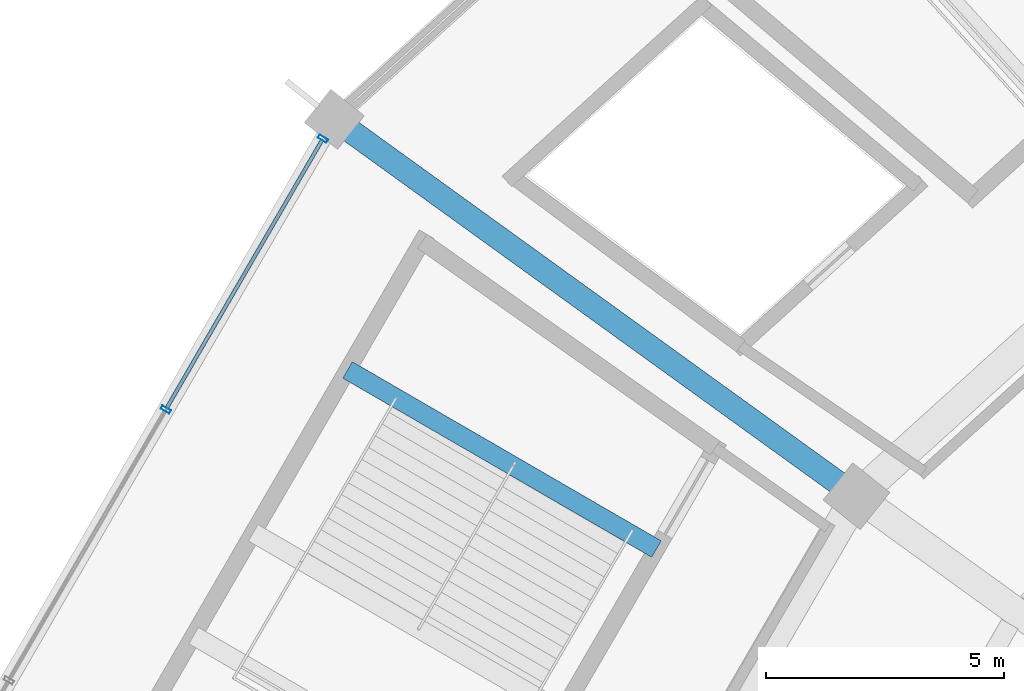
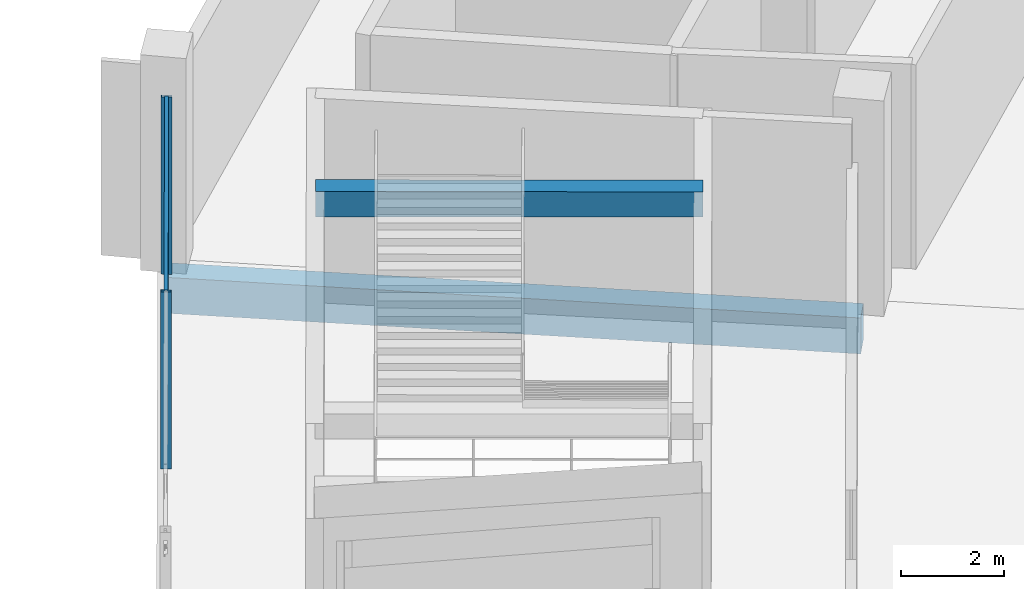
# One storey, part 94 of 184: 4 members, 2 beams, 1 element without a shape of its own.
"""IFC4 building model written with IfcOpenShell, lengths in metres."""

from ifc_helpers import new_model, si_unit, direction, frame, origin, origin_2d, place, context, subcontext, project, spatial, rectangle, hollow_rectangle, extrude, material, layer, layer_set, material_profile, profile_set, type_object, element, aggregate, save


model = new_model("IFC4")

# Units and contexts
model_context = context("Model", 3, precision=1e-05, world=origin(), true_north=direction((0.0, 1.0)))
body_context = subcontext(model_context, "Body", "Model", "MODEL_VIEW")
ifc_project = project(units=[si_unit("LENGTHUNIT", "METRE"), si_unit("AREAUNIT", "SQUARE_METRE"), si_unit("VOLUMEUNIT", "CUBIC_METRE"), si_unit("PLANEANGLEUNIT", "RADIAN"), si_unit("MASSUNIT", "GRAM", prefix="KILO")], contexts=[model_context])

# Site, building, storey
site_placement = place(None, origin())
site = spatial("IfcSite", under=ifc_project, at=site_placement, CompositionType="ELEMENT")
building_placement = place(site_placement, origin())
building = spatial("IfcBuilding", under=site, at=building_placement, Name="Kazemori Nagisa Stadium", CompositionType="ELEMENT")
storey_placement = place(building_placement, frame((0.0, 0.0, 10.5400390625)))
storey = spatial("IfcBuildingStorey", under=building, at=storey_placement, Name="L02", CompositionType="ELEMENT", Elevation=10.5400390625)

# Beams
ifc_material_1 = material(Name="Concrete C40/50 (Fc42)", Category="concrete")
ifc_material_profile_1 = material_profile(ifc_material_1, rectangle(XDim=0.39990234375, YDim=0.60009765625, at=origin_2d()), Name="RC-BM-400x600")
ifc_profile_set_1 = profile_set([ifc_material_profile_1], Name="Concrete C40/50 (Fc42)")
beam_type_1 = type_object("IfcBeamType", Name="Beam_BG-LND400X600", PredefinedType="BEAM", material=ifc_profile_set_1)
beam_1_placement = place(storey_placement, frame((51.28564453125, 149.621826171875, 4.5400390625), z_axis=(-0.865086463473, 0.50162277731, 0.0), x_axis=(-0.50162277731, -0.865086463473, 0.0)))
element("IfcBeam", 1, at=beam_1_placement, inside=storey, type_object=beam_type_1, Name="Core stair arrival header girder ST08-L02", PredefinedType="BEAM", context=body_context, shape_type="SweptSolid", body=[
    extrude(rectangle(XDim=0.39990234375, YDim=0.60009765625, at=origin_2d()), origin(), (0.0, 0.0, 1.0), 7.513671875),
])
ifc_material_profile_2 = material_profile(ifc_material_1, rectangle(XDim=0.5, YDim=0.85009765625, at=origin_2d()), Name="RC-BM-500x850")
ifc_profile_set_2 = profile_set([ifc_material_profile_2], Name="Concrete C40/50 (Fc42)")
beam_type_2 = type_object("IfcBeamType", Name="Beam_BG-RC500X850", PredefinedType="BEAM", material=ifc_profile_set_2)
beam_2_placement = place(storey_placement, frame((55.493896484375, 150.734130859375, -0.68505859375), z_axis=(-0.810787509935, 0.585340596349, 0.0), x_axis=(-0.585340596349, -0.810787509935, 0.0)))
element("IfcBeam", 2, at=beam_2_placement, inside=storey, type_object=beam_type_2, Name="Radial girder BG-RC500X850 L02 R2-R3-12", PredefinedType="BEAM", context=body_context, shape_type="SweptSolid", body=[
    extrude(rectangle(XDim=0.5, YDim=0.85009765625, at=origin_2d()), origin(), (0.0, 0.0, 1.0), 13.5537109375),
])

# Curtain wall, members
ifc_material_2 = material(Name="Anodised aluminium 6063-T5", Category="aluminium")
ifc_layer = layer(ifc_material_2, 0.2099609375, Name="Anodised aluminium 6063-T5", Category="aluminium")
ifc_layer_set = layer_set([ifc_layer], Name="Anodised aluminium 6063-T5")
curtain_wall_type = type_object("IfcCurtainWallType", Name="CW_L02R3_99", PredefinedType="USERDEFINED", material=ifc_layer_set)
curtain_wall_placement = place(storey_placement, origin())
curtain_wall = element("IfcCurtainWall", 3, at=curtain_wall_placement, inside=storey, type_object=curtain_wall_type, Name="Unitised curtain wall CW-L02R3-99 L02", ObjectType="UNITISED CURTAIN WALL", PredefinedType="USERDEFINED")
ifc_material_3 = material(Name="Aluminium 6063-T5 anodised", Category="aluminium")
ifc_material_profile_3 = material_profile(ifc_material_3, hollow_rectangle(XDim=0.080078125, YDim=0.2099609375, WallThickness=0.0048828125, at=origin_2d()), Name="ALU-MULL-80x210x5")
ifc_profile_set_3 = profile_set([ifc_material_profile_3], Name="Aluminium 6063-T5 anodised")
member_type_1 = type_object("IfcMemberType", Name="Mullion_M02", PredefinedType="MULLION", material=ifc_profile_set_3)
member_1_placement = place(storey_placement, frame((44.266357421875, 158.2568359375, 0.0), z_axis=(0.0, 0.0, 1.0), x_axis=(-0.501611590054, -0.865092950337, 0.0)))
member_1 = element("IfcMember", 4, at=member_1_placement, type_object=member_type_1, Name="Curtain wall mullion CW-L02R3-99-M1", PredefinedType="MULLION", context=body_context, shape_type="SweptSolid", body=[
    extrude(hollow_rectangle(XDim=0.080078125, YDim=0.2099609375, WallThickness=0.0048828125, at=origin_2d()), origin(), (0.0, 0.0, 1.0), 4.18994140625),
])
member_2_placement = place(storey_placement, frame((40.9619140625, 152.557861328125, 0.0), z_axis=(0.0, 0.0, 1.0), x_axis=(-0.501611590054, -0.865092950337, 0.0)))
member_2 = element("IfcMember", 5, at=member_2_placement, type_object=member_type_1, Name="Curtain wall mullion CW-L02R3-99-M2", PredefinedType="MULLION", context=body_context, shape_type="SweptSolid", body=[
    extrude(hollow_rectangle(XDim=0.080078125, YDim=0.2099609375, WallThickness=0.0048828125, at=origin_2d()), origin(), (0.0, 0.0, 1.0), 4.18994140625),
])
ifc_material_profile_4 = material_profile(ifc_material_3, hollow_rectangle(XDim=0.080078125, YDim=0.159912109375, WallThickness=0.00390625, at=origin_2d()), Name="ALU-TRAN-80x160x4")
ifc_profile_set_4 = profile_set([ifc_material_profile_4], Name="Aluminium 6063-T5 anodised")
member_type_2 = type_object("IfcMemberType", Name="Transom_T02", PredefinedType="USERDEFINED", material=ifc_profile_set_4)
member_3_placement = place(storey_placement, frame((44.25634765625, 158.239501953125, 2.84912109375), z_axis=(-0.501590295943, -0.865105297069, 0.0), x_axis=(0.865105297069, -0.501590295943, 0.0)))
member_3 = element("IfcMember", 6, at=member_3_placement, type_object=member_type_2, Name="Curtain wall transom CW-L02R3-99-T1-mid", ObjectType="TRANSOM", PredefinedType="USERDEFINED", context=body_context, shape_type="SweptSolid", body=[
    extrude(hollow_rectangle(XDim=0.080078125, YDim=0.159912109375, WallThickness=0.00390625, at=origin_2d()), origin(), (0.0, 0.0, 1.0), 6.547607421875),
])
member_4_placement = place(storey_placement, frame((44.25634765625, 158.239501953125, 4.119873046875), z_axis=(-0.501590295943, -0.865105297069, 0.0), x_axis=(0.865105297069, -0.501590295943, 0.0)))
member_4 = element("IfcMember", 7, at=member_4_placement, type_object=member_type_2, Name="Curtain wall transom CW-L02R3-99-T1-head", ObjectType="TRANSOM", PredefinedType="USERDEFINED", context=body_context, shape_type="SweptSolid", body=[
    extrude(hollow_rectangle(XDim=0.080078125, YDim=0.159912109375, WallThickness=0.00390625, at=origin_2d()), origin(), (0.0, 0.0, 1.0), 6.547607421875),
])
aggregate(curtain_wall, [member_1, member_2, member_3, member_4])

save(model, "model.ifc")
